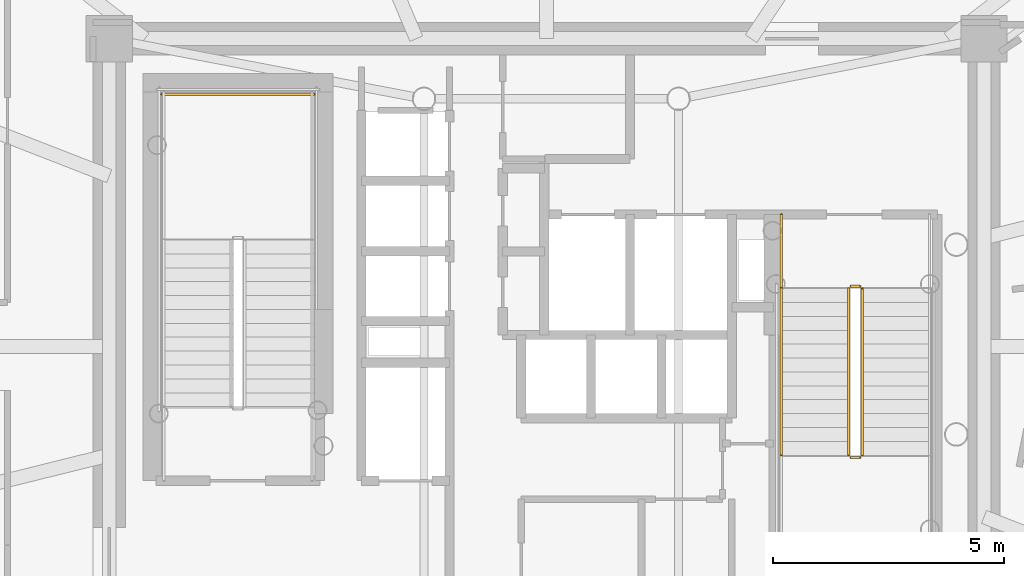
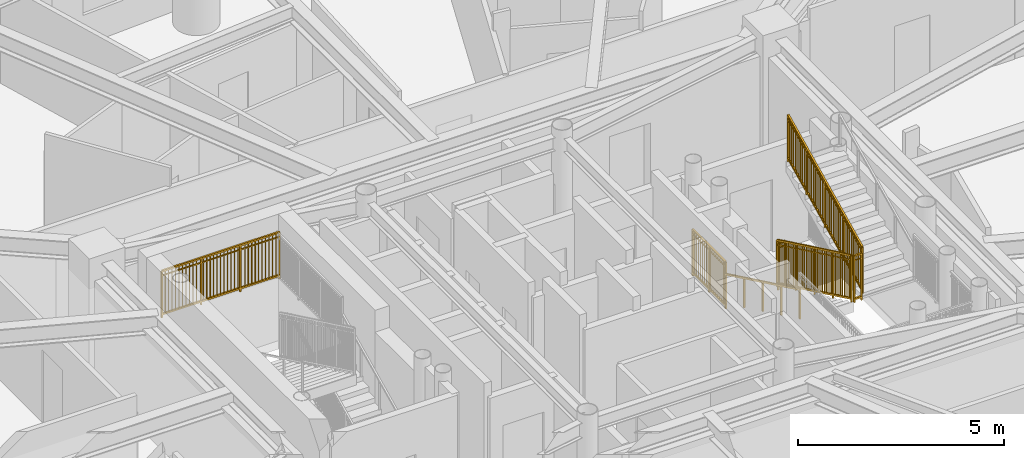
# One storey, part 17 of 20: 7 railings.
"""IFC4 building model written with IfcOpenShell, lengths in metres."""

import ifcopenshell
import ifcopenshell.guid

model = None  # the IFC model being written
_history = None  # IfcOwnerHistory: only IFC2X3 demands one
_inside = {}  # id of a spatial element -> (the spatial element, [elements in it])
_under = {}  # id of a project, library or spatial element -> (it, [spatial elements below it])
_declared = {}  # id of a project -> (the project, [libraries it declares])
_typed = {}  # id of a type object -> (the type object, [elements of that type])
_made_of = {}  # id of a material, layer set ... -> (it, [elements and type objects made of it])


def new_model(schema):
    """Start an empty IFC model of exactly this schema.

    Asked for "IFC4X3", IfcOpenShell would pick the latest addendum, in which some entities
    have other attributes; the version numbers below select the first issue.
    IFC2X3 requires an IfcOwnerHistory on every rooted entity: one is made here for all.
    """
    global model, _history
    if schema == "IFC4X3":
        model = ifcopenshell.file(schema_version=(4, 3, 0, 0))
    else:
        model = ifcopenshell.file(schema=schema)
    _inside.clear()
    _under.clear()
    _declared.clear()
    _typed.clear()
    _made_of.clear()
    _history = None
    if model.schema == "IFC2X3":
        org = make("IfcOrganization", Name="unknown")
        user = make(
            "IfcPersonAndOrganization",
            ThePerson=make("IfcPerson", FamilyName="unknown"),
            TheOrganization=org,
        )
        app = make(
            "IfcApplication",
            ApplicationDeveloper=org,
            Version="unknown",
            ApplicationFullName="unknown",
            ApplicationIdentifier="unknown",
        )
        _history = make(
            "IfcOwnerHistory",
            OwningUser=user,
            OwningApplication=app,
            ChangeAction="ADDED",
            CreationDate=0,
        )
    return model


def make(cls, **values):
    """One entity of the class cls with the attributes given. An attribute that is None is left unset."""
    return model.create_entity(
        cls, **{name: value for name, value in values.items() if value is not None}
    )


def rooted(cls, **values):
    """An entity with a GlobalId (a new one), such as an element, a storey or a relation."""
    return make(cls, GlobalId=ifcopenshell.guid.new(), OwnerHistory=_history, **values)


def si_unit(unit_type, name, prefix=None):
    """IfcSIUnit, for example si_unit("LENGTHUNIT", "METRE", prefix="MILLI")."""
    return make("IfcSIUnit", UnitType=unit_type, Prefix=prefix, Name=name)


def assignment(units):
    """IfcUnitAssignment: the units of a project."""
    return None if units is None else make("IfcUnitAssignment", Units=units)


def point(xyz):
    """IfcCartesianPoint."""
    return None if xyz is None else make("IfcCartesianPoint", Coordinates=xyz)


def direction(xyz):
    """IfcDirection."""
    return None if xyz is None else make("IfcDirection", DirectionRatios=xyz)


def frame(location, z_axis=None, x_axis=None):
    """IfcAxis2Placement3D, a coordinate frame: its origin and axes. An axis left out is left unset."""
    return make(
        "IfcAxis2Placement3D",
        Location=point(location),
        Axis=direction(z_axis),
        RefDirection=direction(x_axis),
    )


def frame_2d(location, x_axis=None):
    """IfcAxis2Placement2D, a coordinate frame in the plane: its origin and x axis."""
    return make(
        "IfcAxis2Placement2D", Location=point(location), RefDirection=direction(x_axis)
    )


def origin():
    """The frame at (0, 0, 0) with its axes left unset."""
    return frame((0.0, 0.0, 0.0))


def origin_2d():
    """The frame at (0, 0) in the plane with its x axis left unset."""
    return frame_2d((0.0, 0.0))


def place(relative_to, where):
    """IfcLocalPlacement: puts the frame where relative to a parent placement (None: the world)."""
    return make(
        "IfcLocalPlacement", PlacementRelTo=relative_to, RelativePlacement=where
    )


def context(
    kind, dimensions, precision=None, world=None, true_north=None, identifier=None
):
    """IfcGeometricRepresentationContext, for example the 3D "Model" context."""
    return make(
        "IfcGeometricRepresentationContext",
        ContextIdentifier=identifier,
        ContextType=kind,
        CoordinateSpaceDimension=dimensions,
        Precision=precision,
        WorldCoordinateSystem=world,
        TrueNorth=true_north,
    )


def subcontext(parent, identifier, kind, view, scale=None):
    """IfcGeometricRepresentationSubContext, for example "Body" below "Model"."""
    return make(
        "IfcGeometricRepresentationSubContext",
        ContextIdentifier=identifier,
        ContextType=kind,
        ParentContext=parent,
        TargetScale=scale,
        TargetView=view,
    )


def project(units=None, contexts=None):
    """IfcProject with its units and contexts."""
    return rooted(
        "IfcProject",
        Name="project",
        RepresentationContexts=contexts,
        UnitsInContext=assignment(units),
    )


def spatial(cls, under=None, at=None, **own):
    """A site, building, storey or space (cls), placed at a placement, below another one or the project."""
    s = rooted(cls, ObjectPlacement=at, **own)
    if under is not None:
        _under.setdefault(under.id(), (under, []))[1].append(s)
    return s


def profile(cls, at=None, kind="AREA", **sizes):
    """A parametric profile (cls). Its sizes go by their IFC names, for example OverallWidth=200.0."""
    return make(cls, ProfileType=kind, Position=at, **sizes)


def rectangle(**sizes):
    """IfcRectangleProfileDef."""
    return profile("IfcRectangleProfileDef", **sizes)


def extrude(swept, where, along, depth):
    """IfcExtrudedAreaSolid: the profile swept, set in the frame where, extruded along a direction by depth."""
    return make(
        "IfcExtrudedAreaSolid",
        SweptArea=swept,
        Position=where,
        ExtrudedDirection=direction(along),
        Depth=depth,
    )


def shape(context_of_items, identifier, shape_type, items):
    """IfcShapeRepresentation: the items that make up one representation, for example the "Body"."""
    return make(
        "IfcShapeRepresentation",
        ContextOfItems=context_of_items,
        RepresentationIdentifier=identifier,
        RepresentationType=shape_type,
        Items=items,
    )


def source(mapping_origin, context_of_items, identifier, shape_type, items):
    """IfcRepresentationMap: a shape defined once, which mapped items show again and again."""
    return make(
        "IfcRepresentationMap",
        MappingOrigin=mapping_origin,
        MappedRepresentation=shape(context_of_items, identifier, shape_type, items),
    )


def transform(
    local_origin,
    x_axis=None,
    y_axis=None,
    z_axis=None,
    scale=None,
    scale2=None,
    scale3=None,
    uniform=True,
):
    """IfcCartesianTransformationOperator3D, or its non-uniform kind. x_axis, y_axis, z_axis: its Axis1, 2, 3."""
    if uniform:
        return make(
            "IfcCartesianTransformationOperator3D",
            Axis1=direction(x_axis),
            Axis2=direction(y_axis),
            LocalOrigin=point(local_origin),
            Scale=scale,
            Axis3=direction(z_axis),
        )
    return make(
        "IfcCartesianTransformationOperator3DnonUniform",
        Axis1=direction(x_axis),
        Axis2=direction(y_axis),
        LocalOrigin=point(local_origin),
        Scale=scale,
        Axis3=direction(z_axis),
        Scale2=scale2,
        Scale3=scale3,
    )


def mapped(mapping_source, mapping_target):
    """IfcMappedItem: shows the shape of a source again, moved by a transform."""
    return make(
        "IfcMappedItem", MappingSource=mapping_source, MappingTarget=mapping_target
    )


def material(Name=None, Category=None):
    """IfcMaterial."""
    return make("IfcMaterial", Name=Name, Category=Category)


def made_of(thing, what):
    """Note that an element or type object is made of a material, layer set ...; save() writes the relation."""
    if what is not None:
        _made_of.setdefault(what.id(), (what, []))[1].append(thing)
    return thing


def type_object(cls, material=None, **own):
    """A type object (cls), such as IfcWallType, which elements share."""
    return made_of(rooted(cls, **own), material)


def element(
    cls,
    number,
    at=None,
    inside=None,
    cuts=None,
    type_object=None,
    material=None,
    context=None,
    identifier="Body",
    shape_type=None,
    held_by="IfcProductDefinitionShape",
    body=None,
    shapes=None,
    **own,
):
    """One element of the class cls, such as IfcWall. Its Tag is "e" and its number.

    at: its placement. inside: the storey or other place that contains it. cuts: it is an
    opening in that element (IfcRelVoidsElement). A single representation is given by context,
    identifier, shape_type and body (its items); several are given by shapes. held_by: the class
    of the entity that holds the representations. save() writes the other relations.
    """
    e = rooted(cls, Tag="e%d" % number, ObjectPlacement=at, **own)
    if body is not None:
        shapes = [shape(context, identifier, shape_type, body)]
    if shapes is not None:
        e.Representation = make(held_by, Representations=shapes)
    if inside is not None:
        _inside.setdefault(inside.id(), (inside, []))[1].append(e)
    if cuts is not None:
        rooted(
            "IfcRelVoidsElement", RelatingBuildingElement=cuts, RelatedOpeningElement=e
        )
    if type_object is not None:
        _typed.setdefault(type_object.id(), (type_object, []))[1].append(e)
    return made_of(e, material)


def aggregate(whole, parts):
    """IfcRelAggregates: a whole, such as a stair, and the parts it consists of."""
    return rooted("IfcRelAggregates", RelatingObject=whole, RelatedObjects=parts)


def save(model, path):
    """Write the relations noted so far, then the file.

    IfcRelAggregates (storeys below a building ...), IfcRelContainedInSpatialStructure (elements
    in a storey), IfcRelDefinesByType, IfcRelAssociatesMaterial and IfcRelDeclares: one each for
    every whole, place, type object, material and project.
    """
    for whole, parts in _under.values():
        aggregate(whole, parts)
    for where, things in _inside.values():
        rooted(
            "IfcRelContainedInSpatialStructure",
            RelatedElements=things,
            RelatingStructure=where,
        )
    for kind, things in _typed.values():
        rooted("IfcRelDefinesByType", RelatedObjects=things, RelatingType=kind)
    for what, things in _made_of.values():
        rooted("IfcRelAssociatesMaterial", RelatedObjects=things, RelatingMaterial=what)
    for by, libraries in _declared.values():
        rooted("IfcRelDeclares", RelatingContext=by, RelatedDefinitions=libraries)
    model.write(path)


model = new_model("IFC4")

# Units and contexts
model_context = context("Model", 3, precision=1e-05, world=origin(), true_north=direction((0.0, 1.0)))
body_context = subcontext(model_context, "Body", "Model", "MODEL_VIEW")
ifc_project = project(units=[si_unit("LENGTHUNIT", "METRE"), si_unit("AREAUNIT", "SQUARE_METRE"), si_unit("VOLUMEUNIT", "CUBIC_METRE"), si_unit("PLANEANGLEUNIT", "RADIAN"), si_unit("MASSUNIT", "GRAM", prefix="KILO")], contexts=[model_context])

# Site, building, storey
site_placement = place(None, origin())
site = spatial("IfcSite", under=ifc_project, at=site_placement, CompositionType="ELEMENT")
building_placement = place(site_placement, origin())
building = spatial("IfcBuilding", under=site, at=building_placement, Name="Linh Dai School and Residence Tower", CompositionType="ELEMENT")
storey_placement = place(building_placement, frame((0.0, 0.0, 221.550048828125)))
storey = spatial("IfcBuildingStorey", under=building, at=storey_placement, Name="L54", CompositionType="ELEMENT", Elevation=221.550048828125)

# Railings
ifc_material_1 = material(Name="Structural Steel S355JR", Category="steel")
railing_type_1 = type_object("IfcRailingType", Name="RL-ST-GUARD-1400", PredefinedType="GUARDRAIL", material=ifc_material_1)
shared_shape_1 = source(origin(), body_context, "Body", "SweptSolid", [
    extrude(rectangle(XDim=0.048095703125, YDim=0.048095703125, at=origin_2d()), frame((0.0, 0.0, 1.3759765625), z_axis=(-1.0, 0.0, 0.0), x_axis=(0.0, -1.0, 0.0)), (0.0, 0.0, 1.0), 3.300048828125),
    extrude(rectangle(XDim=0.048095703125, YDim=0.048095703125, at=origin_2d()), frame((0.0, 0.0, 0.10009765625), z_axis=(-1.0, 0.0, 0.0), x_axis=(0.0, -1.0, 0.0)), (0.0, 0.0, 1.0), 3.300048828125),
    extrude(rectangle(XDim=0.030029296875, YDim=0.030029296875, at=origin_2d()), frame((0.0, 0.0, 1.239990234375), z_axis=(-1.0, 0.0, 0.0), x_axis=(0.0, -1.0, 0.0)), (0.0, 0.0, 1.0), 3.300048828125),
    extrude(rectangle(XDim=0.02001953125, YDim=0.02001953125, at=origin_2d()), frame((-0.09716796875, 0.0, 0.10009765625)), (0.0, 0.0, 1.0), 1.251708984375),
    extrude(rectangle(XDim=0.02001953125, YDim=0.02001953125, at=origin_2d()), frame((-0.194091796875, 0.0, 0.10009765625)), (0.0, 0.0, 1.0), 1.251708984375),
    extrude(rectangle(XDim=0.02001953125, YDim=0.02001953125, at=origin_2d()), frame((-0.291259765625, 0.0, 0.10009765625)), (0.0, 0.0, 1.0), 1.251708984375),
    extrude(rectangle(XDim=0.02001953125, YDim=0.02001953125, at=origin_2d()), frame((-0.38818359375, 0.0, 0.10009765625)), (0.0, 0.0, 1.0), 1.251708984375),
    extrude(rectangle(XDim=0.02001953125, YDim=0.02001953125, at=origin_2d()), frame((-0.4853515625, 0.0, 0.10009765625)), (0.0, 0.0, 1.0), 1.251708984375),
    extrude(rectangle(XDim=0.02001953125, YDim=0.02001953125, at=origin_2d()), frame((-0.582275390625, 0.0, 0.10009765625)), (0.0, 0.0, 1.0), 1.251708984375),
    extrude(rectangle(XDim=0.02001953125, YDim=0.02001953125, at=origin_2d()), frame((-0.679443359375, 0.0, 0.10009765625)), (0.0, 0.0, 1.0), 1.251708984375),
    extrude(rectangle(XDim=0.02001953125, YDim=0.02001953125, at=origin_2d()), frame((-0.7763671875, 0.0, 0.10009765625)), (0.0, 0.0, 1.0), 1.251708984375),
    extrude(rectangle(XDim=0.02001953125, YDim=0.02001953125, at=origin_2d()), frame((-0.87353515625, 0.0, 0.10009765625)), (0.0, 0.0, 1.0), 1.251708984375),
    extrude(rectangle(XDim=0.02001953125, YDim=0.02001953125, at=origin_2d()), frame((-0.970703125, 0.0, 0.10009765625)), (0.0, 0.0, 1.0), 1.251708984375),
    extrude(rectangle(XDim=0.02001953125, YDim=0.02001953125, at=origin_2d()), frame((-1.164794921875, 0.0, 0.10009765625)), (0.0, 0.0, 1.0), 1.251708984375),
    extrude(rectangle(XDim=0.02001953125, YDim=0.02001953125, at=origin_2d()), frame((-1.26171875, 0.0, 0.10009765625)), (0.0, 0.0, 1.0), 1.251708984375),
    extrude(rectangle(XDim=0.02001953125, YDim=0.02001953125, at=origin_2d()), frame((-1.35888671875, 0.0, 0.10009765625)), (0.0, 0.0, 1.0), 1.251708984375),
    extrude(rectangle(XDim=0.02001953125, YDim=0.02001953125, at=origin_2d()), frame((-1.455810546875, 0.0, 0.10009765625)), (0.0, 0.0, 1.0), 1.251708984375),
    extrude(rectangle(XDim=0.02001953125, YDim=0.02001953125, at=origin_2d()), frame((-1.552978515625, 0.0, 0.10009765625)), (0.0, 0.0, 1.0), 1.251708984375),
    extrude(rectangle(XDim=0.02001953125, YDim=0.02001953125, at=origin_2d()), frame((-1.64990234375, 0.0, 0.10009765625)), (0.0, 0.0, 1.0), 1.251708984375),
    extrude(rectangle(XDim=0.02001953125, YDim=0.02001953125, at=origin_2d()), frame((-1.7470703125, 0.0, 0.10009765625)), (0.0, 0.0, 1.0), 1.251708984375),
    extrude(rectangle(XDim=0.02001953125, YDim=0.02001953125, at=origin_2d()), frame((-1.84423828125, 0.0, 0.10009765625)), (0.0, 0.0, 1.0), 1.251708984375),
    extrude(rectangle(XDim=0.02001953125, YDim=0.02001953125, at=origin_2d()), frame((-1.941162109375, 0.0, 0.10009765625)), (0.0, 0.0, 1.0), 1.251708984375),
    extrude(rectangle(XDim=0.02001953125, YDim=0.02001953125, at=origin_2d()), frame((-2.038330078125, 0.0, 0.10009765625)), (0.0, 0.0, 1.0), 1.251708984375),
    extrude(rectangle(XDim=0.02001953125, YDim=0.02001953125, at=origin_2d()), frame((-2.13525390625, 0.0, 0.10009765625)), (0.0, 0.0, 1.0), 1.251708984375),
    extrude(rectangle(XDim=0.02001953125, YDim=0.02001953125, at=origin_2d()), frame((-2.329345703125, 0.0, 0.10009765625)), (0.0, 0.0, 1.0), 1.251708984375),
    extrude(rectangle(XDim=0.02001953125, YDim=0.02001953125, at=origin_2d()), frame((-2.426513671875, 0.0, 0.10009765625)), (0.0, 0.0, 1.0), 1.251708984375),
    extrude(rectangle(XDim=0.02001953125, YDim=0.02001953125, at=origin_2d()), frame((-2.523681640625, 0.0, 0.10009765625)), (0.0, 0.0, 1.0), 1.251708984375),
    extrude(rectangle(XDim=0.02001953125, YDim=0.02001953125, at=origin_2d()), frame((-2.62060546875, 0.0, 0.10009765625)), (0.0, 0.0, 1.0), 1.251708984375),
    extrude(rectangle(XDim=0.02001953125, YDim=0.02001953125, at=origin_2d()), frame((-2.7177734375, 0.0, 0.10009765625)), (0.0, 0.0, 1.0), 1.251708984375),
    extrude(rectangle(XDim=0.02001953125, YDim=0.02001953125, at=origin_2d()), frame((-2.814697265625, 0.0, 0.10009765625)), (0.0, 0.0, 1.0), 1.251708984375),
    extrude(rectangle(XDim=0.02001953125, YDim=0.02001953125, at=origin_2d()), frame((-2.911865234375, 0.0, 0.10009765625)), (0.0, 0.0, 1.0), 1.251708984375),
    extrude(rectangle(XDim=0.02001953125, YDim=0.02001953125, at=origin_2d()), frame((-3.0087890625, 0.0, 0.10009765625)), (0.0, 0.0, 1.0), 1.251708984375),
    extrude(rectangle(XDim=0.02001953125, YDim=0.02001953125, at=origin_2d()), frame((-3.10595703125, 0.0, 0.10009765625)), (0.0, 0.0, 1.0), 1.251708984375),
    extrude(rectangle(XDim=0.02001953125, YDim=0.02001953125, at=origin_2d()), frame((-3.202880859375, 0.0, 0.10009765625)), (0.0, 0.0, 1.0), 1.251708984375),
    extrude(rectangle(XDim=0.0419921875, YDim=0.0419921875, at=origin_2d()), origin(), (0.0, 0.0, 1.0), 1.3759765625),
    extrude(rectangle(XDim=0.0419921875, YDim=0.0419921875, at=origin_2d()), frame((-1.10009765625, 0.0, 0.0)), (0.0, 0.0, 1.0), 1.3759765625),
    extrude(rectangle(XDim=0.0419921875, YDim=0.0419921875, at=origin_2d()), frame((-2.199951171875, 0.0, 0.0)), (0.0, 0.0, 1.0), 1.3759765625),
    extrude(rectangle(XDim=0.0419921875, YDim=0.0419921875, at=origin_2d()), frame((-3.300048828125, 0.0, 0.0)), (0.0, 0.0, 1.0), 1.3759765625),
])
railing_1_placement = place(storey_placement, frame((30.97998046875, 32.449951171875, 1.875)))
element("IfcRailing", 1, at=railing_1_placement, inside=storey, type_object=railing_type_1, Name="L54 ST1 stair guard 5", PredefinedType="GUARDRAIL", context=body_context, shape_type="MappedRepresentation", body=[
    mapped(shared_shape_1, transform((0.0, 0.0, 0.0), x_axis=(1.0, 0.0, 0.0), y_axis=(0.0, 1.0, 0.0), z_axis=(0.0, 0.0, 1.0), scale=1.0)),
])
shared_shape_2 = source(origin(), body_context, "Body", "SweptSolid", [
    extrude(rectangle(XDim=0.048095703125, YDim=0.048095703125, at=origin_2d()), frame((0.0, 0.0, 1.3759765625), z_axis=(0.0, 0.901262522062, 0.433273431364), x_axis=(-1.0, 0.0, 0.0)), (0.0, 0.0, 1.0), 3.994384765625),
    extrude(rectangle(XDim=0.048095703125, YDim=0.048095703125, at=origin_2d()), frame((0.0, 0.0, 0.10009765625), z_axis=(0.0, 0.901262522062, 0.433273431364), x_axis=(-1.0, 0.0, 0.0)), (0.0, 0.0, 1.0), 3.994384765625),
    extrude(rectangle(XDim=0.030029296875, YDim=0.030029296875, at=origin_2d()), frame((0.0, 0.0, 1.239990234375), z_axis=(0.0, 0.901262522062, 0.433273431364), x_axis=(-1.0, 0.0, 0.0)), (0.0, 0.0, 1.0), 3.994384765625),
    extrude(rectangle(XDim=0.02001953125, YDim=0.02001953125, at=origin_2d()), frame((0.0, 0.087890625, 0.142333984375)), (0.0, 0.0, 1.0), 1.251708984375),
    extrude(rectangle(XDim=0.02001953125, YDim=0.02001953125, at=origin_2d()), frame((0.0, 0.175537109375, 0.1845703125)), (0.0, 0.0, 1.0), 1.251708984375),
    extrude(rectangle(XDim=0.02001953125, YDim=0.02001953125, at=origin_2d()), frame((0.0, 0.263427734375, 0.226806640625)), (0.0, 0.0, 1.0), 1.251708984375),
    extrude(rectangle(XDim=0.02001953125, YDim=0.02001953125, at=origin_2d()), frame((0.0, 0.351318359375, 0.26904296875)), (0.0, 0.0, 1.0), 1.251708984375),
    extrude(rectangle(XDim=0.02001953125, YDim=0.02001953125, at=origin_2d()), frame((0.0, 0.43896484375, 0.311279296875)), (0.0, 0.0, 1.0), 1.251708984375),
    extrude(rectangle(XDim=0.02001953125, YDim=0.02001953125, at=origin_2d()), frame((0.0, 0.52685546875, 0.353271484375)), (0.0, 0.0, 1.0), 1.251708984375),
    extrude(rectangle(XDim=0.02001953125, YDim=0.02001953125, at=origin_2d()), frame((0.0, 0.61474609375, 0.3955078125)), (0.0, 0.0, 1.0), 1.251708984375),
    extrude(rectangle(XDim=0.02001953125, YDim=0.02001953125, at=origin_2d()), frame((0.0, 0.702392578125, 0.437744140625)), (0.0, 0.0, 1.0), 1.251708984375),
    extrude(rectangle(XDim=0.02001953125, YDim=0.02001953125, at=origin_2d()), frame((0.0, 0.790283203125, 0.47998046875)), (0.0, 0.0, 1.0), 1.251708984375),
    extrude(rectangle(XDim=0.02001953125, YDim=0.02001953125, at=origin_2d()), frame((0.0, 0.9658203125, 0.564453125)), (0.0, 0.0, 1.0), 1.251708984375),
    extrude(rectangle(XDim=0.02001953125, YDim=0.02001953125, at=origin_2d()), frame((0.0, 1.0537109375, 0.606689453125)), (0.0, 0.0, 1.0), 1.251708984375),
    extrude(rectangle(XDim=0.02001953125, YDim=0.02001953125, at=origin_2d()), frame((0.0, 1.1416015625, 0.64892578125)), (0.0, 0.0, 1.0), 1.251708984375),
    extrude(rectangle(XDim=0.02001953125, YDim=0.02001953125, at=origin_2d()), frame((0.0, 1.229248046875, 0.691162109375)), (0.0, 0.0, 1.0), 1.251708984375),
    extrude(rectangle(XDim=0.02001953125, YDim=0.02001953125, at=origin_2d()), frame((0.0, 1.317138671875, 0.7333984375)), (0.0, 0.0, 1.0), 1.251708984375),
    extrude(rectangle(XDim=0.02001953125, YDim=0.02001953125, at=origin_2d()), frame((0.0, 1.405029296875, 0.775390625)), (0.0, 0.0, 1.0), 1.251708984375),
    extrude(rectangle(XDim=0.02001953125, YDim=0.02001953125, at=origin_2d()), frame((0.0, 1.49267578125, 0.817626953125)), (0.0, 0.0, 1.0), 1.251708984375),
    extrude(rectangle(XDim=0.02001953125, YDim=0.02001953125, at=origin_2d()), frame((0.0, 1.58056640625, 0.85986328125)), (0.0, 0.0, 1.0), 1.251708984375),
    extrude(rectangle(XDim=0.02001953125, YDim=0.02001953125, at=origin_2d()), frame((0.0, 1.66845703125, 0.902099609375)), (0.0, 0.0, 1.0), 1.251708984375),
    extrude(rectangle(XDim=0.02001953125, YDim=0.02001953125, at=origin_2d()), frame((0.0, 1.756103515625, 0.9443359375)), (0.0, 0.0, 1.0), 1.251708984375),
    extrude(rectangle(XDim=0.02001953125, YDim=0.02001953125, at=origin_2d()), frame((0.0, 1.843994140625, 0.986572265625)), (0.0, 0.0, 1.0), 1.251708984375),
    extrude(rectangle(XDim=0.02001953125, YDim=0.02001953125, at=origin_2d()), frame((0.0, 1.931640625, 1.02880859375)), (0.0, 0.0, 1.0), 1.251708984375),
    extrude(rectangle(XDim=0.02001953125, YDim=0.02001953125, at=origin_2d()), frame((0.0, 2.01953125, 1.071044921875)), (0.0, 0.0, 1.0), 1.251708984375),
    extrude(rectangle(XDim=0.02001953125, YDim=0.02001953125, at=origin_2d()), frame((0.0, 2.107421875, 1.11328125)), (0.0, 0.0, 1.0), 1.251708984375),
    extrude(rectangle(XDim=0.02001953125, YDim=0.02001953125, at=origin_2d()), frame((0.0, 2.195068359375, 1.155517578125)), (0.0, 0.0, 1.0), 1.251708984375),
    extrude(rectangle(XDim=0.02001953125, YDim=0.02001953125, at=origin_2d()), frame((0.0, 2.282958984375, 1.197509765625)), (0.0, 0.0, 1.0), 1.251708984375),
    extrude(rectangle(XDim=0.02001953125, YDim=0.02001953125, at=origin_2d()), frame((0.0, 2.370849609375, 1.23974609375)), (0.0, 0.0, 1.0), 1.251708984375),
    extrude(rectangle(XDim=0.02001953125, YDim=0.02001953125, at=origin_2d()), frame((0.0, 2.45849609375, 1.281982421875)), (0.0, 0.0, 1.0), 1.251708984375),
    extrude(rectangle(XDim=0.02001953125, YDim=0.02001953125, at=origin_2d()), frame((0.0, 2.54638671875, 1.32421875)), (0.0, 0.0, 1.0), 1.251708984375),
    extrude(rectangle(XDim=0.02001953125, YDim=0.02001953125, at=origin_2d()), frame((0.0, 2.63427734375, 1.366455078125)), (0.0, 0.0, 1.0), 1.251708984375),
    extrude(rectangle(XDim=0.02001953125, YDim=0.02001953125, at=origin_2d()), frame((0.0, 2.809814453125, 1.450927734375)), (0.0, 0.0, 1.0), 1.251708984375),
    extrude(rectangle(XDim=0.02001953125, YDim=0.02001953125, at=origin_2d()), frame((0.0, 2.897705078125, 1.4931640625)), (0.0, 0.0, 1.0), 1.251708984375),
    extrude(rectangle(XDim=0.02001953125, YDim=0.02001953125, at=origin_2d()), frame((0.0, 2.9853515625, 1.535400390625)), (0.0, 0.0, 1.0), 1.251708984375),
    extrude(rectangle(XDim=0.02001953125, YDim=0.02001953125, at=origin_2d()), frame((0.0, 3.0732421875, 1.57763671875)), (0.0, 0.0, 1.0), 1.251708984375),
    extrude(rectangle(XDim=0.02001953125, YDim=0.02001953125, at=origin_2d()), frame((0.0, 3.1611328125, 1.61962890625)), (0.0, 0.0, 1.0), 1.251708984375),
    extrude(rectangle(XDim=0.02001953125, YDim=0.02001953125, at=origin_2d()), frame((0.0, 3.248779296875, 1.661865234375)), (0.0, 0.0, 1.0), 1.251708984375),
    extrude(rectangle(XDim=0.02001953125, YDim=0.02001953125, at=origin_2d()), frame((0.0, 3.336669921875, 1.7041015625)), (0.0, 0.0, 1.0), 1.251708984375),
    extrude(rectangle(XDim=0.02001953125, YDim=0.02001953125, at=origin_2d()), frame((0.0, 3.424560546875, 1.746337890625)), (0.0, 0.0, 1.0), 1.251708984375),
    extrude(rectangle(XDim=0.02001953125, YDim=0.02001953125, at=origin_2d()), frame((0.0, 3.51220703125, 1.78857421875)), (0.0, 0.0, 1.0), 1.251708984375),
    extrude(rectangle(XDim=0.0419921875, YDim=0.0419921875, at=origin_2d()), origin(), (0.0, 0.0, 1.0), 1.3759765625),
    extrude(rectangle(XDim=0.0419921875, YDim=0.0419921875, at=origin_2d()), frame((0.0, 0.89990234375, 0.4326171875)), (0.0, 0.0, 1.0), 1.3759765625),
    extrude(rectangle(XDim=0.0419921875, YDim=0.0419921875, at=origin_2d()), frame((0.0, 1.800048828125, 0.865234375)), (0.0, 0.0, 1.0), 1.3759765625),
    extrude(rectangle(XDim=0.0419921875, YDim=0.0419921875, at=origin_2d()), frame((0.0, 2.7001953125, 1.298095703125)), (0.0, 0.0, 1.0), 1.3759765625),
    extrude(rectangle(XDim=0.0419921875, YDim=0.0419921875, at=origin_2d()), frame((0.0, 3.60009765625, 1.730712890625)), (0.0, 0.0, 1.0), 1.3759765625),
])
railing_2_placement = place(storey_placement, frame((42.820068359375, 24.64990234375, 2.019287109375)))
element("IfcRailing", 2, at=railing_2_placement, inside=storey, type_object=railing_type_1, Name="L54 ST2 stair guard 6", PredefinedType="GUARDRAIL", context=body_context, shape_type="MappedRepresentation", body=[
    mapped(shared_shape_2, transform((0.0, 0.0, 0.0), x_axis=(1.0, 0.0, 0.0), y_axis=(0.0, 1.0, 0.0), z_axis=(0.0, 0.0, 1.0), scale=1.0)),
])
shared_shape_3 = source(origin(), body_context, "Body", "SweptSolid", [
    extrude(rectangle(XDim=0.048095703125, YDim=0.048095703125, at=origin_2d()), frame((0.0, 0.0, 1.3759765625), z_axis=(0.0, -0.901262522062, 0.433273431364), x_axis=(1.0, 0.0, 0.0)), (0.0, 0.0, 1.0), 3.994384765625),
    extrude(rectangle(XDim=0.048095703125, YDim=0.048095703125, at=origin_2d()), frame((0.0, 0.0, 0.10009765625), z_axis=(0.0, -0.901262522062, 0.433273431364), x_axis=(1.0, 0.0, 0.0)), (0.0, 0.0, 1.0), 3.994384765625),
    extrude(rectangle(XDim=0.030029296875, YDim=0.030029296875, at=origin_2d()), frame((0.0, 0.0, 1.239990234375), z_axis=(0.0, -0.901262522062, 0.433273431364), x_axis=(1.0, 0.0, 0.0)), (0.0, 0.0, 1.0), 3.994384765625),
    extrude(rectangle(XDim=0.02001953125, YDim=0.02001953125, at=origin_2d()), frame((0.0, -0.087890625, 0.142333984375)), (0.0, 0.0, 1.0), 1.251708984375),
    extrude(rectangle(XDim=0.02001953125, YDim=0.02001953125, at=origin_2d()), frame((0.0, -0.175537109375, 0.1845703125)), (0.0, 0.0, 1.0), 1.251708984375),
    extrude(rectangle(XDim=0.02001953125, YDim=0.02001953125, at=origin_2d()), frame((0.0, -0.263427734375, 0.226806640625)), (0.0, 0.0, 1.0), 1.251708984375),
    extrude(rectangle(XDim=0.02001953125, YDim=0.02001953125, at=origin_2d()), frame((0.0, -0.351318359375, 0.26904296875)), (0.0, 0.0, 1.0), 1.251708984375),
    extrude(rectangle(XDim=0.02001953125, YDim=0.02001953125, at=origin_2d()), frame((0.0, -0.43896484375, 0.311279296875)), (0.0, 0.0, 1.0), 1.251708984375),
    extrude(rectangle(XDim=0.02001953125, YDim=0.02001953125, at=origin_2d()), frame((0.0, -0.52685546875, 0.353271484375)), (0.0, 0.0, 1.0), 1.251708984375),
    extrude(rectangle(XDim=0.02001953125, YDim=0.02001953125, at=origin_2d()), frame((0.0, -0.61474609375, 0.3955078125)), (0.0, 0.0, 1.0), 1.251708984375),
    extrude(rectangle(XDim=0.02001953125, YDim=0.02001953125, at=origin_2d()), frame((0.0, -0.702392578125, 0.437744140625)), (0.0, 0.0, 1.0), 1.251708984375),
    extrude(rectangle(XDim=0.02001953125, YDim=0.02001953125, at=origin_2d()), frame((0.0, -0.790283203125, 0.47998046875)), (0.0, 0.0, 1.0), 1.251708984375),
    extrude(rectangle(XDim=0.02001953125, YDim=0.02001953125, at=origin_2d()), frame((0.0, -0.9658203125, 0.564453125)), (0.0, 0.0, 1.0), 1.251708984375),
    extrude(rectangle(XDim=0.02001953125, YDim=0.02001953125, at=origin_2d()), frame((0.0, -1.0537109375, 0.606689453125)), (0.0, 0.0, 1.0), 1.251708984375),
    extrude(rectangle(XDim=0.02001953125, YDim=0.02001953125, at=origin_2d()), frame((0.0, -1.1416015625, 0.64892578125)), (0.0, 0.0, 1.0), 1.251708984375),
    extrude(rectangle(XDim=0.02001953125, YDim=0.02001953125, at=origin_2d()), frame((0.0, -1.229248046875, 0.691162109375)), (0.0, 0.0, 1.0), 1.251708984375),
    extrude(rectangle(XDim=0.02001953125, YDim=0.02001953125, at=origin_2d()), frame((0.0, -1.317138671875, 0.7333984375)), (0.0, 0.0, 1.0), 1.251708984375),
    extrude(rectangle(XDim=0.02001953125, YDim=0.02001953125, at=origin_2d()), frame((0.0, -1.405029296875, 0.775390625)), (0.0, 0.0, 1.0), 1.251708984375),
    extrude(rectangle(XDim=0.02001953125, YDim=0.02001953125, at=origin_2d()), frame((0.0, -1.49267578125, 0.817626953125)), (0.0, 0.0, 1.0), 1.251708984375),
    extrude(rectangle(XDim=0.02001953125, YDim=0.02001953125, at=origin_2d()), frame((0.0, -1.58056640625, 0.85986328125)), (0.0, 0.0, 1.0), 1.251708984375),
    extrude(rectangle(XDim=0.02001953125, YDim=0.02001953125, at=origin_2d()), frame((0.0, -1.66845703125, 0.902099609375)), (0.0, 0.0, 1.0), 1.251708984375),
    extrude(rectangle(XDim=0.02001953125, YDim=0.02001953125, at=origin_2d()), frame((0.0, -1.756103515625, 0.9443359375)), (0.0, 0.0, 1.0), 1.251708984375),
    extrude(rectangle(XDim=0.02001953125, YDim=0.02001953125, at=origin_2d()), frame((0.0, -1.843994140625, 0.986572265625)), (0.0, 0.0, 1.0), 1.251708984375),
    extrude(rectangle(XDim=0.02001953125, YDim=0.02001953125, at=origin_2d()), frame((0.0, -1.931640625, 1.02880859375)), (0.0, 0.0, 1.0), 1.251708984375),
    extrude(rectangle(XDim=0.02001953125, YDim=0.02001953125, at=origin_2d()), frame((0.0, -2.01953125, 1.071044921875)), (0.0, 0.0, 1.0), 1.251708984375),
    extrude(rectangle(XDim=0.02001953125, YDim=0.02001953125, at=origin_2d()), frame((0.0, -2.107421875, 1.11328125)), (0.0, 0.0, 1.0), 1.251708984375),
    extrude(rectangle(XDim=0.02001953125, YDim=0.02001953125, at=origin_2d()), frame((0.0, -2.195068359375, 1.155517578125)), (0.0, 0.0, 1.0), 1.251708984375),
    extrude(rectangle(XDim=0.02001953125, YDim=0.02001953125, at=origin_2d()), frame((0.0, -2.282958984375, 1.197509765625)), (0.0, 0.0, 1.0), 1.251708984375),
    extrude(rectangle(XDim=0.02001953125, YDim=0.02001953125, at=origin_2d()), frame((0.0, -2.370849609375, 1.23974609375)), (0.0, 0.0, 1.0), 1.251708984375),
    extrude(rectangle(XDim=0.02001953125, YDim=0.02001953125, at=origin_2d()), frame((0.0, -2.45849609375, 1.281982421875)), (0.0, 0.0, 1.0), 1.251708984375),
    extrude(rectangle(XDim=0.02001953125, YDim=0.02001953125, at=origin_2d()), frame((0.0, -2.54638671875, 1.32421875)), (0.0, 0.0, 1.0), 1.251708984375),
    extrude(rectangle(XDim=0.02001953125, YDim=0.02001953125, at=origin_2d()), frame((0.0, -2.63427734375, 1.366455078125)), (0.0, 0.0, 1.0), 1.251708984375),
    extrude(rectangle(XDim=0.02001953125, YDim=0.02001953125, at=origin_2d()), frame((0.0, -2.809814453125, 1.450927734375)), (0.0, 0.0, 1.0), 1.251708984375),
    extrude(rectangle(XDim=0.02001953125, YDim=0.02001953125, at=origin_2d()), frame((0.0, -2.897705078125, 1.4931640625)), (0.0, 0.0, 1.0), 1.251708984375),
    extrude(rectangle(XDim=0.02001953125, YDim=0.02001953125, at=origin_2d()), frame((0.0, -2.9853515625, 1.535400390625)), (0.0, 0.0, 1.0), 1.251708984375),
    extrude(rectangle(XDim=0.02001953125, YDim=0.02001953125, at=origin_2d()), frame((0.0, -3.0732421875, 1.57763671875)), (0.0, 0.0, 1.0), 1.251708984375),
    extrude(rectangle(XDim=0.02001953125, YDim=0.02001953125, at=origin_2d()), frame((0.0, -3.1611328125, 1.61962890625)), (0.0, 0.0, 1.0), 1.251708984375),
    extrude(rectangle(XDim=0.02001953125, YDim=0.02001953125, at=origin_2d()), frame((0.0, -3.248779296875, 1.661865234375)), (0.0, 0.0, 1.0), 1.251708984375),
    extrude(rectangle(XDim=0.02001953125, YDim=0.02001953125, at=origin_2d()), frame((0.0, -3.336669921875, 1.7041015625)), (0.0, 0.0, 1.0), 1.251708984375),
    extrude(rectangle(XDim=0.02001953125, YDim=0.02001953125, at=origin_2d()), frame((0.0, -3.424560546875, 1.746337890625)), (0.0, 0.0, 1.0), 1.251708984375),
    extrude(rectangle(XDim=0.02001953125, YDim=0.02001953125, at=origin_2d()), frame((0.0, -3.51220703125, 1.78857421875)), (0.0, 0.0, 1.0), 1.251708984375),
    extrude(rectangle(XDim=0.0419921875, YDim=0.0419921875, at=origin_2d()), origin(), (0.0, 0.0, 1.0), 1.3759765625),
    extrude(rectangle(XDim=0.0419921875, YDim=0.0419921875, at=origin_2d()), frame((0.0, -0.89990234375, 0.4326171875)), (0.0, 0.0, 1.0), 1.3759765625),
    extrude(rectangle(XDim=0.0419921875, YDim=0.0419921875, at=origin_2d()), frame((0.0, -1.800048828125, 0.865234375)), (0.0, 0.0, 1.0), 1.3759765625),
    extrude(rectangle(XDim=0.0419921875, YDim=0.0419921875, at=origin_2d()), frame((0.0, -2.7001953125, 1.298095703125)), (0.0, 0.0, 1.0), 1.3759765625),
    extrude(rectangle(XDim=0.0419921875, YDim=0.0419921875, at=origin_2d()), frame((0.0, -3.60009765625, 1.730712890625)), (0.0, 0.0, 1.0), 1.3759765625),
])
railing_3_placement = place(storey_placement, frame((42.52001953125, 28.25, 0.144287109375)))
element("IfcRailing", 3, at=railing_3_placement, inside=storey, type_object=railing_type_1, Name="L54 ST2 stair guard 1", PredefinedType="GUARDRAIL", context=body_context, shape_type="MappedRepresentation", body=[
    mapped(shared_shape_3, transform((0.0, 0.0, 0.0), x_axis=(1.0, 0.0, 0.0), y_axis=(0.0, 1.0, 0.0), z_axis=(0.0, 0.0, 1.0), scale=1.0)),
])
ifc_material_2 = material(Name="Brushed Stainless Steel Handrail", Category="steel")
railing_type_2 = type_object("IfcRailingType", Name="RL-ST-HANDRAIL-900", PredefinedType="HANDRAIL", material=ifc_material_2)
shared_shape_4 = source(origin(), body_context, "Body", "SweptSolid", [
    extrude(rectangle(XDim=0.048095703125, YDim=0.048095703125, at=origin_2d()), frame((0.0, 0.0, 0.8759765625), z_axis=(0.0, -0.901262522062, 0.433273431364), x_axis=(1.0, 0.0, 0.0)), (0.0, 0.0, 1.0), 3.994384765625),
    extrude(rectangle(XDim=0.0419921875, YDim=0.0419921875, at=origin_2d()), origin(), (0.0, 0.0, 1.0), 0.8759765625),
    extrude(rectangle(XDim=0.0419921875, YDim=0.0419921875, at=origin_2d()), frame((0.0, -0.89990234375, 0.4326171875)), (0.0, 0.0, 1.0), 0.8759765625),
    extrude(rectangle(XDim=0.0419921875, YDim=0.0419921875, at=origin_2d()), frame((0.0, -1.800048828125, 0.865234375)), (0.0, 0.0, 1.0), 0.8759765625),
    extrude(rectangle(XDim=0.0419921875, YDim=0.0419921875, at=origin_2d()), frame((0.0, -2.7001953125, 1.298095703125)), (0.0, 0.0, 1.0), 0.8759765625),
    extrude(rectangle(XDim=0.0419921875, YDim=0.0419921875, at=origin_2d()), frame((0.0, -3.60009765625, 1.730712890625)), (0.0, 0.0, 1.0), 0.8759765625),
])
railing_4_placement = place(storey_placement, frame((41.070068359375, 28.25, 0.144287109375)))
element("IfcRailing", 4, at=railing_4_placement, inside=storey, type_object=railing_type_2, Name="L54 ST2 stair handrail 1", PredefinedType="HANDRAIL", context=body_context, shape_type="MappedRepresentation", body=[
    mapped(shared_shape_4, transform((0.0, 0.0, 0.0), x_axis=(1.0, 0.0, 0.0), y_axis=(0.0, 1.0, 0.0), z_axis=(0.0, 0.0, 1.0), scale=1.0)),
])
shared_shape_5 = source(origin(), body_context, "Body", "SweptSolid", [
    extrude(rectangle(XDim=0.048095703125, YDim=0.048095703125, at=origin_2d()), frame((0.0, 0.0, 1.3759765625), z_axis=(1.0, 0.0, 0.0), x_axis=(0.0, 1.0, 0.0)), (0.0, 0.0, 1.0), 0.199951171875),
    extrude(rectangle(XDim=0.048095703125, YDim=0.048095703125, at=origin_2d()), frame((0.0, 0.0, 0.10009765625), z_axis=(1.0, 0.0, 0.0), x_axis=(0.0, 1.0, 0.0)), (0.0, 0.0, 1.0), 0.199951171875),
    extrude(rectangle(XDim=0.030029296875, YDim=0.030029296875, at=origin_2d()), frame((0.0, 0.0, 1.239990234375), z_axis=(1.0, 0.0, 0.0), x_axis=(0.0, 1.0, 0.0)), (0.0, 0.0, 1.0), 0.199951171875),
    extrude(rectangle(XDim=0.0419921875, YDim=0.0419921875, at=origin_2d()), origin(), (0.0, 0.0, 1.0), 1.3759765625),
    extrude(rectangle(XDim=0.0419921875, YDim=0.0419921875, at=origin_2d()), frame((0.199951171875, 0.0, 0.0)), (0.0, 0.0, 1.0), 1.3759765625),
])
for number, where, name in (
    (5, (42.570068359375, 24.60009765625, 1.875), "L54 ST2 stair guard 2"),
    (6, (42.570068359375, 28.300048828125, 0.0), "L54 ST2 stair guard 7"),
):
    element("IfcRailing", number, at=place(storey_placement, frame(where)), inside=storey, type_object=railing_type_1, Name=name, PredefinedType="GUARDRAIL", context=body_context, shape_type="MappedRepresentation", body=[
        mapped(shared_shape_5, transform((0.0, 0.0, 0.0), x_axis=(1.0, 0.0, 0.0), y_axis=(0.0, 1.0, 0.0), z_axis=(0.0, 0.0, 1.0), scale=1.0)),
    ])
shared_shape_6 = source(origin(), body_context, "Body", "SweptSolid", [
    extrude(rectangle(XDim=0.048095703125, YDim=0.048095703125, at=origin_2d()), frame((0.0, 0.0, 1.3759765625), z_axis=(0.0, -1.0, 0.0), x_axis=(1.0, 0.0, 0.0)), (0.0, 0.0, 1.0), 1.60009765625),
    extrude(rectangle(XDim=0.048095703125, YDim=0.048095703125, at=origin_2d()), frame((0.0, 0.0, 0.10009765625), z_axis=(0.0, -1.0, 0.0), x_axis=(1.0, 0.0, 0.0)), (0.0, 0.0, 1.0), 1.60009765625),
    extrude(rectangle(XDim=0.030029296875, YDim=0.030029296875, at=origin_2d()), frame((0.0, 0.0, 1.239990234375), z_axis=(0.0, -1.0, 0.0), x_axis=(1.0, 0.0, 0.0)), (0.0, 0.0, 1.0), 1.60009765625),
    extrude(rectangle(XDim=0.02001953125, YDim=0.02001953125, at=origin_2d()), frame((0.0, -0.09423828125, 0.10009765625)), (0.0, 0.0, 1.0), 1.251708984375),
    extrude(rectangle(XDim=0.02001953125, YDim=0.02001953125, at=origin_2d()), frame((0.0, -0.188232421875, 0.10009765625)), (0.0, 0.0, 1.0), 1.251708984375),
    extrude(rectangle(XDim=0.02001953125, YDim=0.02001953125, at=origin_2d()), frame((0.0, -0.282470703125, 0.10009765625)), (0.0, 0.0, 1.0), 1.251708984375),
    extrude(rectangle(XDim=0.02001953125, YDim=0.02001953125, at=origin_2d()), frame((0.0, -0.37646484375, 0.10009765625)), (0.0, 0.0, 1.0), 1.251708984375),
    extrude(rectangle(XDim=0.02001953125, YDim=0.02001953125, at=origin_2d()), frame((0.0, -0.470703125, 0.10009765625)), (0.0, 0.0, 1.0), 1.251708984375),
    extrude(rectangle(XDim=0.02001953125, YDim=0.02001953125, at=origin_2d()), frame((0.0, -0.564697265625, 0.10009765625)), (0.0, 0.0, 1.0), 1.251708984375),
    extrude(rectangle(XDim=0.02001953125, YDim=0.02001953125, at=origin_2d()), frame((0.0, -0.658935546875, 0.10009765625)), (0.0, 0.0, 1.0), 1.251708984375),
    extrude(rectangle(XDim=0.02001953125, YDim=0.02001953125, at=origin_2d()), frame((0.0, -0.7529296875, 0.10009765625)), (0.0, 0.0, 1.0), 1.251708984375),
    extrude(rectangle(XDim=0.02001953125, YDim=0.02001953125, at=origin_2d()), frame((0.0, -0.84716796875, 0.10009765625)), (0.0, 0.0, 1.0), 1.251708984375),
    extrude(rectangle(XDim=0.02001953125, YDim=0.02001953125, at=origin_2d()), frame((0.0, -0.941162109375, 0.10009765625)), (0.0, 0.0, 1.0), 1.251708984375),
    extrude(rectangle(XDim=0.02001953125, YDim=0.02001953125, at=origin_2d()), frame((0.0, -1.035400390625, 0.10009765625)), (0.0, 0.0, 1.0), 1.251708984375),
    extrude(rectangle(XDim=0.02001953125, YDim=0.02001953125, at=origin_2d()), frame((0.0, -1.12939453125, 0.10009765625)), (0.0, 0.0, 1.0), 1.251708984375),
    extrude(rectangle(XDim=0.02001953125, YDim=0.02001953125, at=origin_2d()), frame((0.0, -1.2236328125, 0.10009765625)), (0.0, 0.0, 1.0), 1.251708984375),
    extrude(rectangle(XDim=0.02001953125, YDim=0.02001953125, at=origin_2d()), frame((0.0, -1.317626953125, 0.10009765625)), (0.0, 0.0, 1.0), 1.251708984375),
    extrude(rectangle(XDim=0.02001953125, YDim=0.02001953125, at=origin_2d()), frame((0.0, -1.411865234375, 0.10009765625)), (0.0, 0.0, 1.0), 1.251708984375),
    extrude(rectangle(XDim=0.02001953125, YDim=0.02001953125, at=origin_2d()), frame((0.0, -1.505859375, 0.10009765625)), (0.0, 0.0, 1.0), 1.251708984375),
    extrude(rectangle(XDim=0.0419921875, YDim=0.0419921875, at=origin_2d()), origin(), (0.0, 0.0, 1.0), 1.3759765625),
    extrude(rectangle(XDim=0.0419921875, YDim=0.0419921875, at=origin_2d()), frame((0.0, -0.800048828125, 0.0)), (0.0, 0.0, 1.0), 1.3759765625),
    extrude(rectangle(XDim=0.0419921875, YDim=0.0419921875, at=origin_2d()), frame((0.0, -1.60009765625, 0.0)), (0.0, 0.0, 1.0), 1.3759765625),
])
railing_5_placement = place(storey_placement, frame((41.070068359375, 29.85009765625, 0.0)))
element("IfcRailing", 7, at=railing_5_placement, inside=storey, type_object=railing_type_1, Name="L54 ST2 stair guard 8", PredefinedType="GUARDRAIL", context=body_context, shape_type="MappedRepresentation", body=[
    mapped(shared_shape_6, transform((0.0, 0.0, 0.0), x_axis=(1.0, 0.0, 0.0), y_axis=(0.0, 1.0, 0.0), z_axis=(0.0, 0.0, 1.0), scale=1.0)),
])

save(model, "model.ifc")
